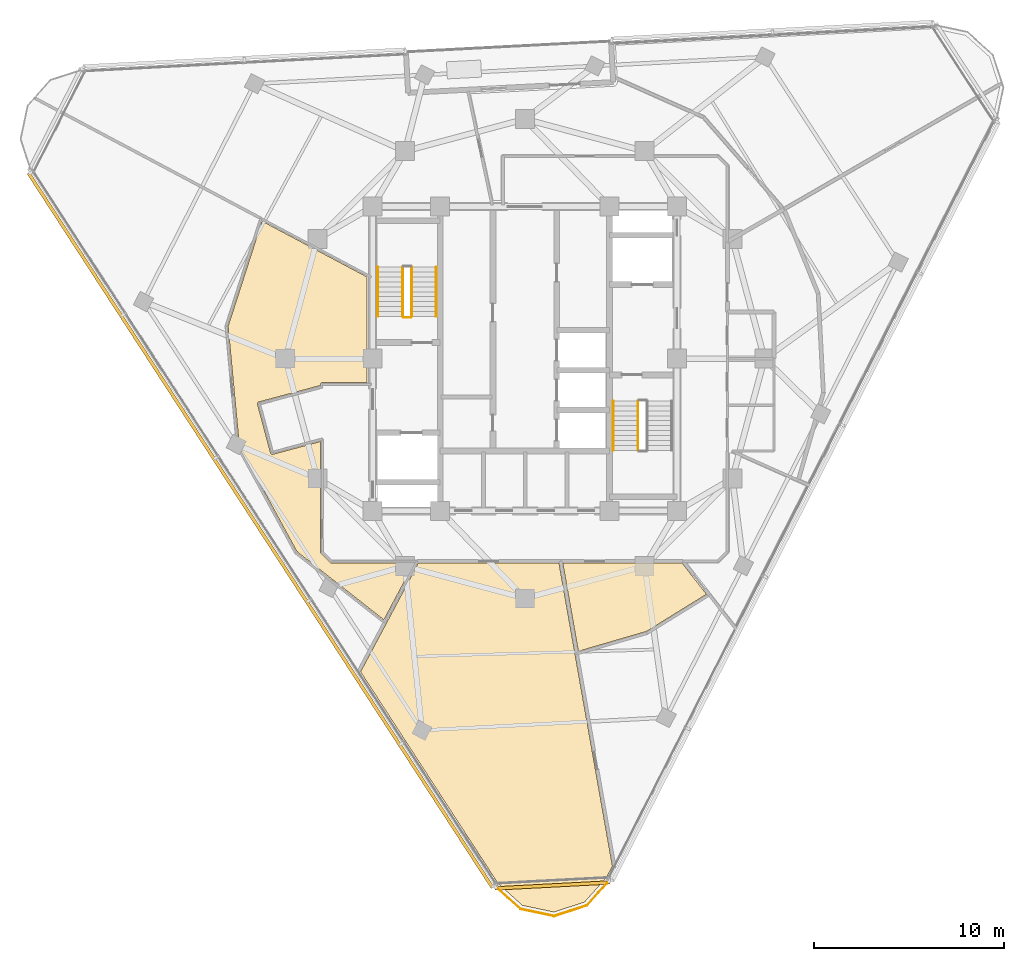
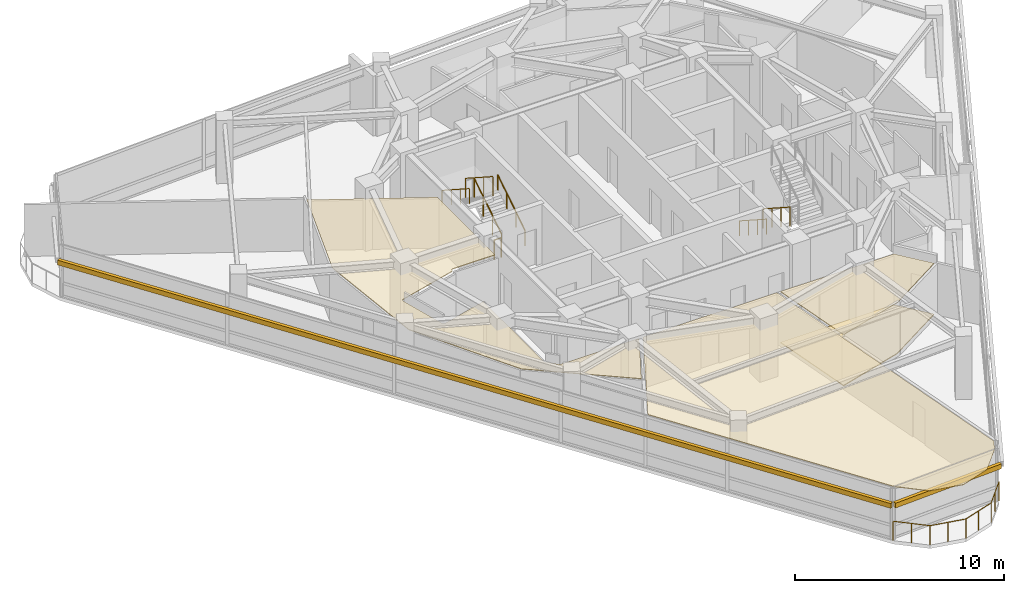
# One storey, part 12 of 15: 8 railings, 4 coverings, 2 shading devices.
"""IFC4 building model written with IfcOpenShell, lengths in metres."""

import ifcopenshell
import ifcopenshell.guid

model = None  # the IFC model being written
_history = None  # IfcOwnerHistory: only IFC2X3 demands one
_inside = {}  # id of a spatial element -> (the spatial element, [elements in it])
_under = {}  # id of a project, library or spatial element -> (it, [spatial elements below it])
_declared = {}  # id of a project -> (the project, [libraries it declares])
_typed = {}  # id of a type object -> (the type object, [elements of that type])
_made_of = {}  # id of a material, layer set ... -> (it, [elements and type objects made of it])


def new_model(schema):
    """Start an empty IFC model of exactly this schema.

    Asked for "IFC4X3", IfcOpenShell would pick the latest addendum, in which some entities
    have other attributes; the version numbers below select the first issue.
    IFC2X3 requires an IfcOwnerHistory on every rooted entity: one is made here for all.
    """
    global model, _history
    if schema == "IFC4X3":
        model = ifcopenshell.file(schema_version=(4, 3, 0, 0))
    else:
        model = ifcopenshell.file(schema=schema)
    _inside.clear()
    _under.clear()
    _declared.clear()
    _typed.clear()
    _made_of.clear()
    _history = None
    if model.schema == "IFC2X3":
        org = make("IfcOrganization", Name="unknown")
        user = make(
            "IfcPersonAndOrganization",
            ThePerson=make("IfcPerson", FamilyName="unknown"),
            TheOrganization=org,
        )
        app = make(
            "IfcApplication",
            ApplicationDeveloper=org,
            Version="unknown",
            ApplicationFullName="unknown",
            ApplicationIdentifier="unknown",
        )
        _history = make(
            "IfcOwnerHistory",
            OwningUser=user,
            OwningApplication=app,
            ChangeAction="ADDED",
            CreationDate=0,
        )
    return model


def make(cls, **values):
    """One entity of the class cls with the attributes given. An attribute that is None is left unset."""
    return model.create_entity(
        cls, **{name: value for name, value in values.items() if value is not None}
    )


def rooted(cls, **values):
    """An entity with a GlobalId (a new one), such as an element, a storey or a relation."""
    return make(cls, GlobalId=ifcopenshell.guid.new(), OwnerHistory=_history, **values)


def si_unit(unit_type, name, prefix=None):
    """IfcSIUnit, for example si_unit("LENGTHUNIT", "METRE", prefix="MILLI")."""
    return make("IfcSIUnit", UnitType=unit_type, Prefix=prefix, Name=name)


def assignment(units):
    """IfcUnitAssignment: the units of a project."""
    return None if units is None else make("IfcUnitAssignment", Units=units)


def point(xyz):
    """IfcCartesianPoint."""
    return None if xyz is None else make("IfcCartesianPoint", Coordinates=xyz)


def direction(xyz):
    """IfcDirection."""
    return None if xyz is None else make("IfcDirection", DirectionRatios=xyz)


def frame(location, z_axis=None, x_axis=None):
    """IfcAxis2Placement3D, a coordinate frame: its origin and axes. An axis left out is left unset."""
    return make(
        "IfcAxis2Placement3D",
        Location=point(location),
        Axis=direction(z_axis),
        RefDirection=direction(x_axis),
    )


def frame_2d(location, x_axis=None):
    """IfcAxis2Placement2D, a coordinate frame in the plane: its origin and x axis."""
    return make(
        "IfcAxis2Placement2D", Location=point(location), RefDirection=direction(x_axis)
    )


def origin():
    """The frame at (0, 0, 0) with its axes left unset."""
    return frame((0.0, 0.0, 0.0))


def origin_2d():
    """The frame at (0, 0) in the plane with its x axis left unset."""
    return frame_2d((0.0, 0.0))


def place(relative_to, where):
    """IfcLocalPlacement: puts the frame where relative to a parent placement (None: the world)."""
    return make(
        "IfcLocalPlacement", PlacementRelTo=relative_to, RelativePlacement=where
    )


def context(
    kind, dimensions, precision=None, world=None, true_north=None, identifier=None
):
    """IfcGeometricRepresentationContext, for example the 3D "Model" context."""
    return make(
        "IfcGeometricRepresentationContext",
        ContextIdentifier=identifier,
        ContextType=kind,
        CoordinateSpaceDimension=dimensions,
        Precision=precision,
        WorldCoordinateSystem=world,
        TrueNorth=true_north,
    )


def subcontext(parent, identifier, kind, view, scale=None):
    """IfcGeometricRepresentationSubContext, for example "Body" below "Model"."""
    return make(
        "IfcGeometricRepresentationSubContext",
        ContextIdentifier=identifier,
        ContextType=kind,
        ParentContext=parent,
        TargetScale=scale,
        TargetView=view,
    )


def project(units=None, contexts=None):
    """IfcProject with its units and contexts."""
    return rooted(
        "IfcProject",
        Name="project",
        RepresentationContexts=contexts,
        UnitsInContext=assignment(units),
    )


def spatial(cls, under=None, at=None, **own):
    """A site, building, storey or space (cls), placed at a placement, below another one or the project."""
    s = rooted(cls, ObjectPlacement=at, **own)
    if under is not None:
        _under.setdefault(under.id(), (under, []))[1].append(s)
    return s


def polyline(points):
    """IfcPolyline through the points."""
    return make("IfcPolyline", Points=[point(p) for p in points])


def profile(cls, at=None, kind="AREA", **sizes):
    """A parametric profile (cls). Its sizes go by their IFC names, for example OverallWidth=200.0."""
    return make(cls, ProfileType=kind, Position=at, **sizes)


def rectangle(**sizes):
    """IfcRectangleProfileDef."""
    return profile("IfcRectangleProfileDef", **sizes)


def circle(**sizes):
    """IfcCircleProfileDef."""
    return profile("IfcCircleProfileDef", **sizes)


def outline(outer, holes=None, kind="AREA"):
    """IfcArbitraryClosedProfileDef: a profile drawn as a closed curve; with holes, ...WithVoids."""
    if holes is None:
        return make("IfcArbitraryClosedProfileDef", ProfileType=kind, OuterCurve=outer)
    return make(
        "IfcArbitraryProfileDefWithVoids",
        ProfileType=kind,
        OuterCurve=outer,
        InnerCurves=holes,
    )


def extrude(swept, where, along, depth):
    """IfcExtrudedAreaSolid: the profile swept, set in the frame where, extruded along a direction by depth."""
    return make(
        "IfcExtrudedAreaSolid",
        SweptArea=swept,
        Position=where,
        ExtrudedDirection=direction(along),
        Depth=depth,
    )


def shape(context_of_items, identifier, shape_type, items):
    """IfcShapeRepresentation: the items that make up one representation, for example the "Body"."""
    return make(
        "IfcShapeRepresentation",
        ContextOfItems=context_of_items,
        RepresentationIdentifier=identifier,
        RepresentationType=shape_type,
        Items=items,
    )


def material(Name=None, Category=None):
    """IfcMaterial."""
    return make("IfcMaterial", Name=Name, Category=Category)


def layer(
    of_material, thickness, ventilated=None, Name=None, Category=None, Priority=None
):
    """IfcMaterialLayer: one layer of a wall or slab, of a material (None: an air gap)."""
    return make(
        "IfcMaterialLayer",
        Material=of_material,
        LayerThickness=thickness,
        IsVentilated=ventilated,
        Name=Name,
        Category=Category,
        Priority=Priority,
    )


def layer_set(layers, Name=None):
    """IfcMaterialLayerSet."""
    return make("IfcMaterialLayerSet", MaterialLayers=layers, LayerSetName=Name)


def made_of(thing, what):
    """Note that an element or type object is made of a material, layer set ...; save() writes the relation."""
    if what is not None:
        _made_of.setdefault(what.id(), (what, []))[1].append(thing)
    return thing


def type_object(cls, material=None, **own):
    """A type object (cls), such as IfcWallType, which elements share."""
    return made_of(rooted(cls, **own), material)


def element(
    cls,
    number,
    at=None,
    inside=None,
    cuts=None,
    type_object=None,
    material=None,
    context=None,
    identifier="Body",
    shape_type=None,
    held_by="IfcProductDefinitionShape",
    body=None,
    shapes=None,
    **own,
):
    """One element of the class cls, such as IfcWall. Its Tag is "e" and its number.

    at: its placement. inside: the storey or other place that contains it. cuts: it is an
    opening in that element (IfcRelVoidsElement). A single representation is given by context,
    identifier, shape_type and body (its items); several are given by shapes. held_by: the class
    of the entity that holds the representations. save() writes the other relations.
    """
    e = rooted(cls, Tag="e%d" % number, ObjectPlacement=at, **own)
    if body is not None:
        shapes = [shape(context, identifier, shape_type, body)]
    if shapes is not None:
        e.Representation = make(held_by, Representations=shapes)
    if inside is not None:
        _inside.setdefault(inside.id(), (inside, []))[1].append(e)
    if cuts is not None:
        rooted(
            "IfcRelVoidsElement", RelatingBuildingElement=cuts, RelatedOpeningElement=e
        )
    if type_object is not None:
        _typed.setdefault(type_object.id(), (type_object, []))[1].append(e)
    return made_of(e, material)


def aggregate(whole, parts):
    """IfcRelAggregates: a whole, such as a stair, and the parts it consists of."""
    return rooted("IfcRelAggregates", RelatingObject=whole, RelatedObjects=parts)


def save(model, path):
    """Write the relations noted so far, then the file.

    IfcRelAggregates (storeys below a building ...), IfcRelContainedInSpatialStructure (elements
    in a storey), IfcRelDefinesByType, IfcRelAssociatesMaterial and IfcRelDeclares: one each for
    every whole, place, type object, material and project.
    """
    for whole, parts in _under.values():
        aggregate(whole, parts)
    for where, things in _inside.values():
        rooted(
            "IfcRelContainedInSpatialStructure",
            RelatedElements=things,
            RelatingStructure=where,
        )
    for kind, things in _typed.values():
        rooted("IfcRelDefinesByType", RelatedObjects=things, RelatingType=kind)
    for what, things in _made_of.values():
        rooted("IfcRelAssociatesMaterial", RelatedObjects=things, RelatingMaterial=what)
    for by, libraries in _declared.values():
        rooted("IfcRelDeclares", RelatingContext=by, RelatedDefinitions=libraries)
    model.write(path)


model = new_model("IFC4")

# Units and contexts
model_context = context("Model", 3, precision=1e-05, world=origin(), true_north=direction((0.0, 1.0)))
body_context = subcontext(model_context, "Body", "Model", "MODEL_VIEW")
ifc_project = project(units=[si_unit("LENGTHUNIT", "METRE"), si_unit("AREAUNIT", "SQUARE_METRE"), si_unit("VOLUMEUNIT", "CUBIC_METRE"), si_unit("PLANEANGLEUNIT", "RADIAN"), si_unit("MASSUNIT", "GRAM", prefix="KILO")], contexts=[model_context])

# Site, building, storey
site_placement = place(None, origin())
site = spatial("IfcSite", under=ifc_project, at=site_placement, CompositionType="ELEMENT")
building_placement = place(site_placement, origin())
building = spatial("IfcBuilding", under=site, at=building_placement, Name="Terralouvre Media Tower", CompositionType="ELEMENT")
storey_placement = place(building_placement, frame((0.0, 0.0, 270.699951171875)))
storey = spatial("IfcBuildingStorey", under=building, at=storey_placement, Name="L70", CompositionType="ELEMENT", Elevation=270.699951171875)

# Coverings
ifc_material_1 = material(Name="Resilient elastomer acoustic broadcast studio flooring")
ifc_layer_1 = layer(ifc_material_1, 0.050048828125, Name="Broadcast Studio Acoustic Floating Floor FL-AC1")
ifc_layer_set_1 = layer_set([ifc_layer_1], Name="Resilient elastomer acoustic broadcast studio flooring")
covering_type_1 = type_object("IfcCoveringType", Name="Broadcast Studio Acoustic Floating Floor FL-AC1", PredefinedType="FLOORING", material=ifc_layer_set_1)
covering_1_placement = place(storey_placement, frame((0.0, 0.0, 0.0), z_axis=(0.0, 0.0, 1.0), x_axis=(0.45399049974, 0.891006524188, 0.0)))
element("IfcCovering", 1, at=covering_1_placement, inside=storey, type_object=covering_type_1, Name="L70 Director Master Control Room 4 Acoustic Floating Floor", PredefinedType="FLOORING", context=body_context, shape_type="SweptSolid", body=[
    extrude(outline(polyline([(-9.8798828125, -12.2001953125), (-6.699951171875, -14.13037109375), (-5.82275390625, -12.2509765625), (-8.671630859375, -6.659912109375), (-12.4287109375, -9.490966796875), (-9.8798828125, -12.2001953125)])), origin(), (0.0, 0.0, 1.0), 0.050048828125),
])
ifc_material_2 = material(Name="Perforated aluminium acoustic ceiling baffle", Category="aluminium")
ifc_layer_2 = layer(ifc_material_2, 0.0400390625, Name="Perforated Acoustic Metal Tile Ceiling CL-AC1")
ifc_layer_set_2 = layer_set([ifc_layer_2], Name="Perforated aluminium acoustic ceiling baffle")
covering_type_2 = type_object("IfcCoveringType", Name="Perforated Acoustic Metal Tile Ceiling CL-AC1", PredefinedType="CEILING", material=ifc_layer_set_2)
covering_2_placement = place(storey_placement, frame((0.0, 0.0, 2.97998046875), z_axis=(0.0, 0.0, 1.0), x_axis=(0.45399049974, 0.891006524188, 0.0)))
element("IfcCovering", 2, at=covering_2_placement, inside=storey, type_object=covering_type_2, Name="L70 Script Readout Seminar Room 1 Acoustic Ceiling", PredefinedType="CEILING", context=body_context, shape_type="SweptSolid", body=[
    extrude(outline(polyline([(-5.561767578125, 14.679443359375), (-10.904541015625, 11.292724609375), (-14.476806640625, 6.0703125), (-15.597412109375, 0.37158203125), (-12.224853515625, 0.313720703125), (-14.186279296875, 4.163330078125), (-14.1904296875, 4.17236328125), (-14.193603515625, 4.181640625), (-14.195556640625, 4.191162109375), (-14.197021484375, 4.200927734375), (-14.197265625, 4.210693359375), (-14.196533203125, 4.220458984375), (-14.19482421875, 4.230224609375), (-14.1923828125, 4.239501953125), (-13.973876953125, 4.912109375), (-13.97021484375, 4.92138671875), (-13.966064453125, 4.929931640625), (-13.960693359375, 4.9384765625), (-13.954833984375, 4.946044921875), (-13.947998046875, 4.953369140625), (-13.940673828125, 4.959716796875), (-13.9326171875, 4.96533203125), (-13.924072265625, 4.97021484375), (-8.760986328125, 7.60107421875), (-10.49365234375, 9.525146484375), (-10.5, 9.532958984375), (-10.50537109375, 9.541015625), (-10.510009765625, 9.5498046875), (-10.513671875, 9.558837890625), (-10.5166015625, 9.568115234375), (-10.518310546875, 9.577880859375), (-10.519287109375, 9.587646484375), (-10.519287109375, 9.597412109375), (-10.518310546875, 9.607177734375), (-10.516357421875, 9.61669921875), (-10.513427734375, 9.626220703125), (-10.509765625, 9.63525390625), (-10.5048828125, 9.643798828125), (-10.49951171875, 9.652099609375), (-10.4931640625, 9.65966796875), (-10.486328125, 9.66650390625), (-8.516357421875, 11.439208984375), (-8.5087890625, 11.4453125), (-8.50048828125, 11.45068359375), (-8.491943359375, 11.455322265625), (-8.482666015625, 11.458984375), (-8.473388671875, 11.4619140625), (-8.463623046875, 11.463623046875), (-8.453857421875, 11.464599609375), (-8.444091796875, 11.464599609375), (-8.434326171875, 11.463623046875), (-8.4248046875, 11.461669921875), (-8.415283203125, 11.458740234375), (-8.406494140625, 11.455078125), (-8.397705078125, 11.450439453125), (-8.3896484375, 11.44482421875), (-8.382080078125, 11.4384765625), (-8.375, 11.431640625), (-6.132568359375, 8.9404296875), (-6.083251953125, 8.96533203125), (-6.07421875, 8.969482421875), (-6.06494140625, 8.97265625), (-6.055419921875, 8.974853515625), (-6.045654296875, 8.97607421875), (-6.035888671875, 8.976318359375), (-6.026123046875, 8.9755859375), (-6.016357421875, 8.973876953125), (-6.007080078125, 8.971435546875), (-5.997802734375, 8.968017578125), (-5.989013671875, 8.963623046875), (-5.980712890625, 8.958251953125), (-5.972900390625, 8.952392578125), (-5.9658203125, 8.945556640625), (-5.959228515625, 8.938232421875), (-5.95361328125, 8.93017578125), (-5.94873046875, 8.921630859375), (-4.886474609375, 6.836669921875), (0.06298828125, 9.358642578125), (0.171630859375, 15.600830078125), (-5.561767578125, 14.679443359375)])), origin(), (0.0, 0.0, 1.0), 0.0400390625),
])
covering_3_placement = place(storey_placement, frame((0.0, 0.0, 2.97998046875), z_axis=(0.0, 0.0, 1.0), x_axis=(0.45399049974, 0.891006524188, 0.0)))
element("IfcCovering", 3, at=covering_3_placement, inside=storey, type_object=covering_type_2, Name="L70 Technical Operations Control Room 2 Acoustic Ceiling", PredefinedType="CEILING", context=body_context, shape_type="SweptSolid", body=[
    extrude(outline(polyline([(-8.763916015625, -6.47900390625), (-12.1220703125, 0.11181640625), (-15.72021484375, 0.173828125), (-18.591064453125, 0.224365234375), (-25.225830078125, -11.26708984375), (-25.672607421875, -12.9326171875), (-25.23388671875, -14.568359375), (-24.036376953125, -15.766357421875), (-22.370849609375, -16.212158203125), (-21.68115234375, -16.212890625), (-12.63818359375, -9.3984375), (-8.763916015625, -6.47900390625)])), origin(), (0.0, 0.0, 1.0), 0.0400390625),
])
covering_4_placement = place(storey_placement, frame((0.0, 0.0, 2.97998046875), z_axis=(0.0, 0.0, 1.0), x_axis=(0.45399049974, 0.891006524188, 0.0)))
element("IfcCovering", 4, at=covering_4_placement, inside=storey, type_object=covering_type_2, Name="L70 Director Master Control Room 4 Acoustic Ceiling", PredefinedType="CEILING", context=body_context, shape_type="SweptSolid", body=[
    extrude(outline(polyline([(-9.8798828125, -12.2001953125), (-6.699951171875, -14.13037109375), (-5.82275390625, -12.2509765625), (-8.671630859375, -6.659912109375), (-12.4287109375, -9.490966796875), (-9.8798828125, -12.2001953125)])), origin(), (0.0, 0.0, 1.0), 0.0400390625),
])

# Railings
ifc_material_3 = material(Name="Stainless steel 316 handrail and balustrade", Category="steel")
ifc_layer_3 = layer(ifc_material_3, 0.06005859375, Name="Roof Edge Safety Guardrail GR-ROOF1")
ifc_layer_set_3 = layer_set([ifc_layer_3], Name="Stainless steel 316 handrail and balustrade")
railing_type_1 = type_object("IfcRailingType", Name="Roof Edge Safety Guardrail GR-ROOF1", PredefinedType="GUARDRAIL", material=ifc_layer_set_3)
railing_1_placement = place(storey_placement, frame((-1.580810546875, -27.72119140625, 0.0)))
element("IfcRailing", 5, at=railing_1_placement, inside=storey, type_object=railing_type_1, Name="L70 Wind-Corner Perimeter Safety Guardrail C0", PredefinedType="GUARDRAIL", context=body_context, shape_type="SweptSolid", body=[
    extrude(circle(Radius=0.02099609375, at=origin_2d()), frame((0.0, 0.0, 1.12890625), z_axis=(0.743012566317, -0.66927746585, 0.0), x_axis=(0.66927746585, 0.743012566317, 0.0)), (0.0, 0.0, 1.0), 1.81103515625),
    extrude(circle(Radius=0.02099609375, at=origin_2d()), frame((1.345703125, -1.212158203125, 1.12890625), z_axis=(0.978122858597, -0.208028059382, 0.0), x_axis=(0.208028059382, 0.978122858597, 0.0)), (0.0, 0.0, 1.0), 1.810791015625),
    extrude(circle(Radius=0.02099609375, at=origin_2d()), frame((3.116943359375, -1.5888671875, 1.12890625), z_axis=(0.951016233487, 0.309140944625, 0.0), x_axis=(-0.309140944625, 0.951016233487, 0.0)), (0.0, 0.0, 1.0), 1.810791015625),
    extrude(circle(Radius=0.02099609375, at=origin_2d()), frame((4.839111328125, -1.029052734375, 1.12890625), z_axis=(0.668920042495, 0.74333436403, 0.0), x_axis=(-0.74333436403, 0.668920042495, 0.0)), (0.0, 0.0, 1.0), 1.81103515625),
    extrude(circle(Radius=0.01904296875, at=origin_2d()), origin(), (0.0, 0.0, 1.0), 1.10791015625),
    extrude(circle(Radius=0.01904296875, at=origin_2d()), frame((0.6728515625, -0.60595703125, 0.0)), (0.0, 0.0, 1.0), 1.10791015625),
    extrude(circle(Radius=0.01904296875, at=origin_2d()), frame((1.345703125, -1.212158203125, 0.0)), (0.0, 0.0, 1.0), 1.10791015625),
    extrude(circle(Radius=0.01904296875, at=origin_2d()), frame((2.2314453125, -1.400390625, 0.0)), (0.0, 0.0, 1.0), 1.10791015625),
    extrude(circle(Radius=0.01904296875, at=origin_2d()), frame((3.116943359375, -1.5888671875, 0.0)), (0.0, 0.0, 1.0), 1.10791015625),
    extrude(circle(Radius=0.01904296875, at=origin_2d()), frame((3.97802734375, -1.30908203125, 0.0)), (0.0, 0.0, 1.0), 1.10791015625),
    extrude(circle(Radius=0.01904296875, at=origin_2d()), frame((4.839111328125, -1.029052734375, 0.0)), (0.0, 0.0, 1.0), 1.10791015625),
    extrude(circle(Radius=0.01904296875, at=origin_2d()), frame((5.44482421875, -0.35595703125, 0.0)), (0.0, 0.0, 1.0), 1.10791015625),
    extrude(circle(Radius=0.01904296875, at=origin_2d()), frame((6.050537109375, 0.317138671875, 0.0)), (0.0, 0.0, 1.0), 1.10791015625),
])
ifc_material_4 = material(Name="Stainless steel 316 handrail and balustrade", Category="steel")
ifc_layer_4 = layer(ifc_material_4, 0.050048828125, Name="Stair Flight Wall Handrail HR-INT1")
ifc_layer_set_4 = layer_set([ifc_layer_4], Name="Stainless steel 316 handrail and balustrade")
railing_type_2 = type_object("IfcRailingType", Name="Stair Flight Wall Handrail HR-INT1", PredefinedType="HANDRAIL", material=ifc_layer_set_4)
railing_2_placement = place(storey_placement, frame((-4.64990234375, 2.219970703125, 0.168212890625)))
element("IfcRailing", 6, at=railing_2_placement, inside=storey, type_object=railing_type_2, Name="L70 ST-01 stair handrail 1", PredefinedType="HANDRAIL", context=body_context, shape_type="SweptSolid", body=[
    extrude(circle(Radius=0.02392578125, at=origin_2d()), frame((0.0, 0.0, 0.8759765625), z_axis=(0.0, 0.839648411786, 0.543130320075), x_axis=(-1.0, 0.0, 0.0)), (0.0, 0.0, 1.0), 3.0966796875),
    extrude(circle(Radius=0.02099609375, at=origin_2d()), origin(), (0.0, 0.0, 1.0), 0.851806640625),
    extrude(circle(Radius=0.02099609375, at=origin_2d()), frame((0.0, 0.86669921875, 0.560546875)), (0.0, 0.0, 1.0), 0.851806640625),
    extrude(circle(Radius=0.02099609375, at=origin_2d()), frame((0.0, 1.7333984375, 1.121337890625)), (0.0, 0.0, 1.0), 0.851806640625),
    extrude(circle(Radius=0.02099609375, at=origin_2d()), frame((0.0, 2.60009765625, 1.681884765625)), (0.0, 0.0, 1.0), 0.851806640625),
])
railing_3_placement = place(storey_placement, frame((-7.72998046875, 4.820068359375, 2.018310546875)))
element("IfcRailing", 7, at=railing_3_placement, inside=storey, type_object=railing_type_2, Name="L70 ST-01 stair handrail 2", PredefinedType="HANDRAIL", context=body_context, shape_type="SweptSolid", body=[
    extrude(circle(Radius=0.02392578125, at=origin_2d()), frame((0.0, 0.0, 0.8759765625), z_axis=(0.0, -0.839684365666, 0.543074733399), x_axis=(1.0, 0.0, 0.0)), (0.0, 0.0, 1.0), 3.096435546875),
    extrude(circle(Radius=0.02099609375, at=origin_2d()), origin(), (0.0, 0.0, 1.0), 0.851806640625),
    extrude(circle(Radius=0.02099609375, at=origin_2d()), frame((0.0, -0.86669921875, 0.560546875)), (0.0, 0.0, 1.0), 0.851806640625),
    extrude(circle(Radius=0.02099609375, at=origin_2d()), frame((0.0, -1.7333984375, 1.12109375)), (0.0, 0.0, 1.0), 0.851806640625),
    extrude(circle(Radius=0.02099609375, at=origin_2d()), frame((0.0, -2.60009765625, 1.681640625)), (0.0, 0.0, 1.0), 0.851806640625),
])
railing_4_placement = place(storey_placement, frame((4.64990234375, -2.219970703125, 0.168212890625)))
element("IfcRailing", 8, at=railing_4_placement, inside=storey, type_object=railing_type_2, Name="L70 ST-02 stair handrail 1", PredefinedType="HANDRAIL", context=body_context, shape_type="SweptSolid", body=[
    extrude(circle(Radius=0.02392578125, at=origin_2d()), frame((0.0, 0.0, 0.8759765625), z_axis=(0.0, -0.839648411786, 0.543130320075), x_axis=(1.0, 0.0, 0.0)), (0.0, 0.0, 1.0), 3.0966796875),
    extrude(circle(Radius=0.02099609375, at=origin_2d()), origin(), (0.0, 0.0, 1.0), 0.851806640625),
    extrude(circle(Radius=0.02099609375, at=origin_2d()), frame((0.0, -0.86669921875, 0.560546875)), (0.0, 0.0, 1.0), 0.851806640625),
    extrude(circle(Radius=0.02099609375, at=origin_2d()), frame((0.0, -1.7333984375, 1.121337890625)), (0.0, 0.0, 1.0), 0.851806640625),
    extrude(circle(Radius=0.02099609375, at=origin_2d()), frame((0.0, -2.60009765625, 1.681884765625)), (0.0, 0.0, 1.0), 0.851806640625),
])
ifc_material_5 = material(Name="Stainless steel 316 handrail and balustrade", Category="steel")
ifc_layer_5 = layer(ifc_material_5, 0.050048828125, Name="Stairwell Safety Guardrail GR-INT1")
ifc_layer_set_5 = layer_set([ifc_layer_5], Name="Stainless steel 316 handrail and balustrade")
railing_type_3 = type_object("IfcRailingType", Name="Stairwell Safety Guardrail GR-INT1", PredefinedType="GUARDRAIL", material=ifc_layer_set_5)
railing_5_placement = place(storey_placement, frame((-5.949951171875, 2.219970703125, 0.168212890625)))
element("IfcRailing", 9, at=railing_5_placement, inside=storey, type_object=railing_type_3, Name="L70 ST-01 stair guard 1", PredefinedType="GUARDRAIL", context=body_context, shape_type="SweptSolid", body=[
    extrude(circle(Radius=0.02392578125, at=origin_2d()), frame((0.0, 0.0, 1.1259765625), z_axis=(0.0, 0.839648411786, 0.543130320075), x_axis=(-1.0, 0.0, 0.0)), (0.0, 0.0, 1.0), 3.0966796875),
    extrude(circle(Radius=0.02099609375, at=origin_2d()), origin(), (0.0, 0.0, 1.0), 1.101806640625),
    extrude(circle(Radius=0.02099609375, at=origin_2d()), frame((0.0, 0.86669921875, 0.560546875)), (0.0, 0.0, 1.0), 1.101806640625),
    extrude(circle(Radius=0.02099609375, at=origin_2d()), frame((0.0, 1.7333984375, 1.121337890625)), (0.0, 0.0, 1.0), 1.101806640625),
    extrude(circle(Radius=0.02099609375, at=origin_2d()), frame((0.0, 2.60009765625, 1.681884765625)), (0.0, 0.0, 1.0), 1.101806640625),
])
railing_6_placement = place(storey_placement, frame((-6.429931640625, 4.820068359375, 2.018310546875)))
element("IfcRailing", 10, at=railing_6_placement, inside=storey, type_object=railing_type_3, Name="L70 ST-01 stair guard 3", PredefinedType="GUARDRAIL", context=body_context, shape_type="SweptSolid", body=[
    extrude(circle(Radius=0.02392578125, at=origin_2d()), frame((0.0, 0.0, 1.1259765625), z_axis=(0.0, -0.839684365666, 0.543074733399), x_axis=(1.0, 0.0, 0.0)), (0.0, 0.0, 1.0), 3.096435546875),
    extrude(circle(Radius=0.02099609375, at=origin_2d()), origin(), (0.0, 0.0, 1.0), 1.101806640625),
    extrude(circle(Radius=0.02099609375, at=origin_2d()), frame((0.0, -0.86669921875, 0.560546875)), (0.0, 0.0, 1.0), 1.101806640625),
    extrude(circle(Radius=0.02099609375, at=origin_2d()), frame((0.0, -1.7333984375, 1.12109375)), (0.0, 0.0, 1.0), 1.101806640625),
    extrude(circle(Radius=0.02099609375, at=origin_2d()), frame((0.0, -2.60009765625, 1.681640625)), (0.0, 0.0, 1.0), 1.101806640625),
])
railing_7_placement = place(storey_placement, frame((-6.0, 2.169921875, 0.0)))
element("IfcRailing", 11, at=railing_7_placement, inside=storey, type_object=railing_type_3, Name="L70 ST-01 stair guard 4", PredefinedType="GUARDRAIL", context=body_context, shape_type="SweptSolid", body=[
    extrude(circle(Radius=0.02392578125, at=origin_2d()), frame((0.0, 0.0, 1.1259765625), z_axis=(-1.0, 0.0, 0.0), x_axis=(0.0, -1.0, 0.0)), (0.0, 0.0, 1.0), 0.3798828125),
    extrude(circle(Radius=0.02099609375, at=origin_2d()), origin(), (0.0, 0.0, 1.0), 1.101806640625),
    extrude(circle(Radius=0.02099609375, at=origin_2d()), frame((-0.3798828125, 0.0, 0.0)), (0.0, 0.0, 1.0), 1.101806640625),
])
railing_8_placement = place(storey_placement, frame((5.949951171875, -2.219970703125, 0.168212890625)))
element("IfcRailing", 12, at=railing_8_placement, inside=storey, type_object=railing_type_3, Name="L70 ST-02 stair guard 1", PredefinedType="GUARDRAIL", context=body_context, shape_type="SweptSolid", body=[
    extrude(circle(Radius=0.02392578125, at=origin_2d()), frame((0.0, 0.0, 1.1259765625), z_axis=(0.0, -0.839648411786, 0.543130320075), x_axis=(1.0, 0.0, 0.0)), (0.0, 0.0, 1.0), 3.0966796875),
    extrude(circle(Radius=0.02099609375, at=origin_2d()), origin(), (0.0, 0.0, 1.0), 1.101806640625),
    extrude(circle(Radius=0.02099609375, at=origin_2d()), frame((0.0, -0.86669921875, 0.560546875)), (0.0, 0.0, 1.0), 1.101806640625),
    extrude(circle(Radius=0.02099609375, at=origin_2d()), frame((0.0, -1.7333984375, 1.121337890625)), (0.0, 0.0, 1.0), 1.101806640625),
    extrude(circle(Radius=0.02099609375, at=origin_2d()), frame((0.0, -2.60009765625, 1.681884765625)), (0.0, 0.0, 1.0), 1.101806640625),
])

# Shading devices
ifc_material_6 = material(Name="Extruded terracotta baguette sunshade louvres", Category="masonry")
shading_device_type = type_object("IfcShadingDeviceType", Name="Terracotta Baguette Sunshade Louvre Screen TB-LV1", PredefinedType="USERDEFINED", material=ifc_material_6)
shading_device_1_placement = place(storey_placement, frame((-13.89892578125, -9.026123046875, 2.02392578125), z_axis=(0.0, 0.0, 1.0), x_axis=(0.544639069077, -0.838670545826, 0.0)))
element("IfcShadingDevice", 13, at=shading_device_1_placement, inside=storey, type_object=shading_device_type, Name="CW-L70-F2 Terracotta Baguette Sunshade Louvre", ObjectType="BAGUETTE", PredefinedType="USERDEFINED", context=body_context, shape_type="SweptSolid", body=[
    extrude(rectangle(XDim=44.800048828125, YDim=0.179931640625, at=origin_2d()), origin(), (0.0, 0.0, 1.0), 0.280029296875),
])
shading_device_2_placement = place(storey_placement, frame((1.45166015625, -27.697265625, 2.02392578125), z_axis=(0.0, 0.0, 1.0), x_axis=(0.998629533744, 0.05233597552, 0.0)))
element("IfcShadingDevice", 14, at=shading_device_2_placement, inside=storey, type_object=shading_device_type, Name="CW-L70-C0 Terracotta Baguette Sunshade Louvre", ObjectType="BAGUETTE", PredefinedType="USERDEFINED", context=body_context, shape_type="SweptSolid", body=[
    extrude(rectangle(XDim=6.062255859375, YDim=0.179931640625, at=origin_2d()), origin(), (0.0, 0.0, 1.0), 0.280029296875),
])

save(model, "model.ifc")
